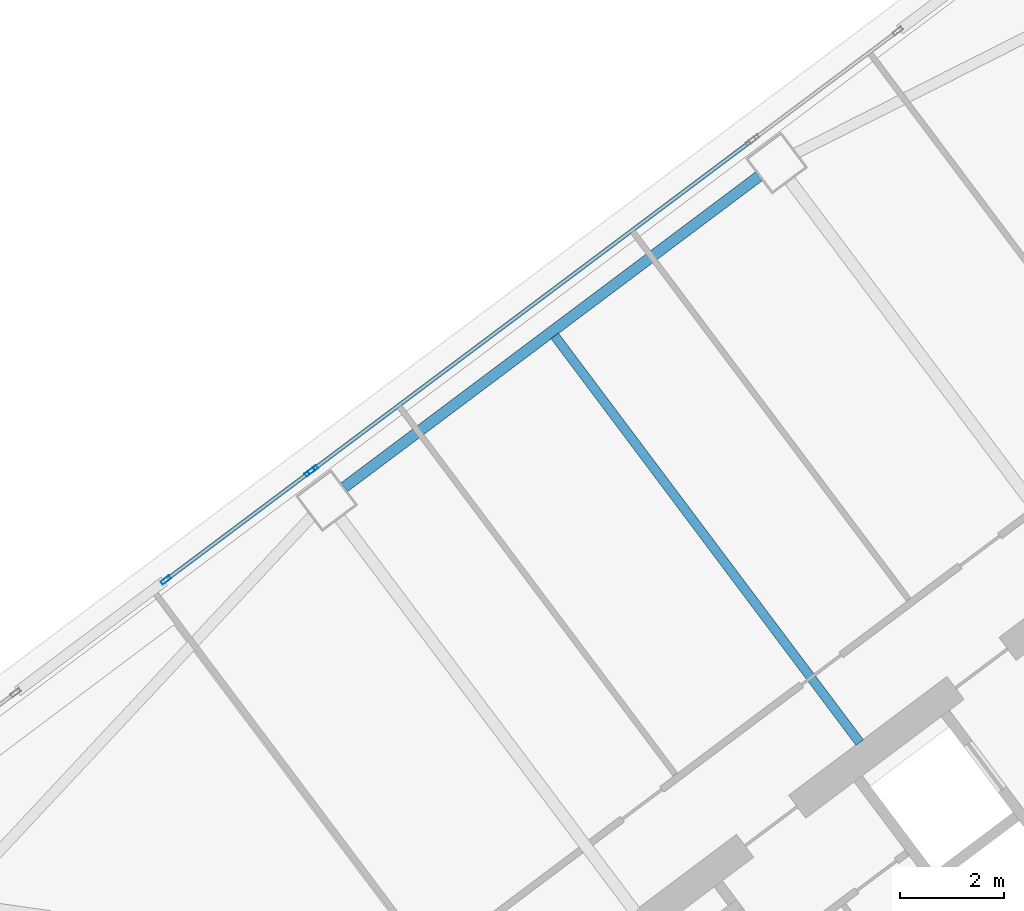
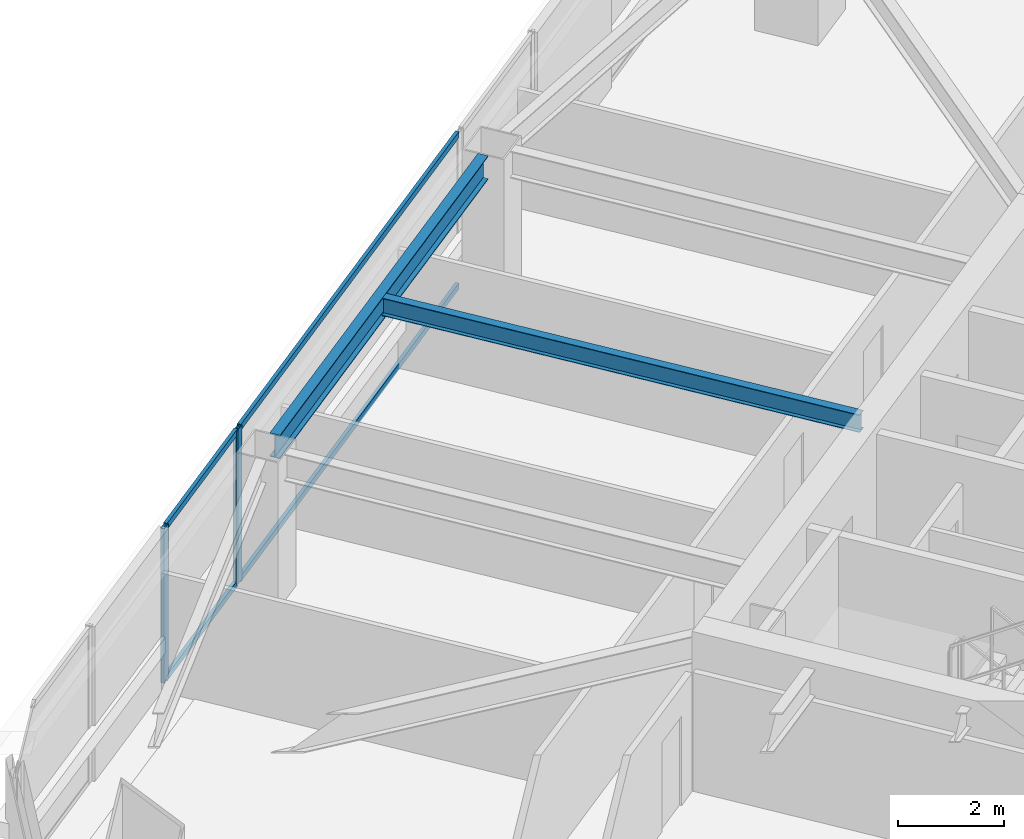
# One storey, part 30 of 46: 7 members, 2 beams, 2 elements without a shape of their own.
"""IFC4 building model written with IfcOpenShell, lengths in metres."""

from ifc_helpers import new_model, si_unit, direction, frame, origin, origin_2d, place, context, subcontext, project, spatial, hollow_rectangle, i_section, extrude, material, material_profile, profile_set, type_object, element, aggregate, save


model = new_model("IFC4")

# Units and contexts
model_context = context("Model", 3, precision=1e-05, world=origin(), true_north=direction((0.0, 1.0)))
body_context = subcontext(model_context, "Body", "Model", "MODEL_VIEW")
ifc_project = project(units=[si_unit("LENGTHUNIT", "METRE"), si_unit("AREAUNIT", "SQUARE_METRE"), si_unit("VOLUMEUNIT", "CUBIC_METRE"), si_unit("PLANEANGLEUNIT", "RADIAN"), si_unit("MASSUNIT", "GRAM", prefix="KILO")], contexts=[model_context])

# Site, building, storey
site_placement = place(None, origin())
site = spatial("IfcSite", under=ifc_project, at=site_placement, CompositionType="ELEMENT")
building_placement = place(site_placement, origin())
building = spatial("IfcBuilding", under=site, at=building_placement, Name="Tashvorn Skyway Center", CompositionType="ELEMENT")
storey_placement = place(building_placement, frame((0.0, 0.0, 139.25)))
storey = spatial("IfcBuildingStorey", under=building, at=storey_placement, Name="L37", CompositionType="ELEMENT", Elevation=139.25)

# Beams
ifc_material_1 = material(Name="Steel ASTM A992 Grade 50", Category="steel")
ifc_material_profile_1 = material_profile(ifc_material_1, i_section(OverallWidth=0.177978515625, OverallDepth=0.406005859375, WebThickness=0.0078125, FlangeThickness=0.0126953125, at=origin_2d()), Name="W16X40")
ifc_profile_set_1 = profile_set([ifc_material_profile_1], Name="Steel ASTM A992 Grade 50")
beam_type_1 = type_object("IfcBeamType", Name="BM-JOIST-W16X40", PredefinedType="JOIST", material=ifc_profile_set_1)
beam_1_placement = place(storey_placement, frame((109.325927734375, 38.23193359375, 3.1669921875), z_axis=(-0.599991997409, 0.800006001881, 0.0), x_axis=(-0.800006001881, -0.599991997409, 0.0)))
element("IfcBeam", 1, at=beam_1_placement, inside=storey, type_object=beam_type_1, Name="Tower 2 L37 Secondary Composite Joist JN", PredefinedType="JOIST", context=body_context, shape_type="SweptSolid", body=[
    extrude(i_section(OverallWidth=0.177978515625, OverallDepth=0.406005859375, WebThickness=0.0078125, FlangeThickness=0.0126953125, at=origin_2d()), origin(), (0.0, 0.0, 1.0), 9.762451171875),
])
ifc_material_profile_2 = material_profile(ifc_material_1, i_section(OverallWidth=0.2109375, OverallDepth=0.5390625, WebThickness=0.01171875, FlangeThickness=0.018798828125, at=origin_2d()), Name="W21X73")
ifc_profile_set_2 = profile_set([ifc_material_profile_2], Name="Steel ASTM A992 Grade 50")
beam_type_2 = type_object("IfcBeamType", Name="BM-SPANDREL-W21X73", PredefinedType="SPANDREL", material=ifc_profile_set_2)
beam_2_placement = place(storey_placement, frame((107.39404296875, 49.10791015625, 3.1005859375), z_axis=(-0.800008824351, -0.599988234018, 0.0), x_axis=(0.599988234018, -0.800008824351, 0.0)))
element("IfcBeam", 2, at=beam_2_placement, inside=storey, type_object=beam_type_2, Name="Tower 2 L37 Spandrel Beam 08", PredefinedType="SPANDREL", context=body_context, shape_type="SweptSolid", body=[
    extrude(i_section(OverallWidth=0.2109375, OverallDepth=0.5390625, WebThickness=0.01171875, FlangeThickness=0.018798828125, at=origin_2d()), origin(), (0.0, 0.0, 1.0), 9.9599609375),
])

# Curtain wall, members
ifc_material_2 = material(Name="Thermally broken bronze-anodized aluminium 6063-T6", Category="aluminium")
curtain_wall_type = type_object("IfcCurtainWallType", Name="CW-CW-Z3", PredefinedType="NOTDEFINED", material=ifc_material_2)
curtain_wall_1_placement = place(storey_placement, origin())
curtain_wall_1 = element("IfcCurtainWall", 3, at=curtain_wall_1_placement, inside=storey, type_object=curtain_wall_type, Name="Tower 2 L37 North Unitised Curtain Wall Glazing Group 2", PredefinedType="NOTDEFINED")
ifc_material_profile_3 = material_profile(ifc_material_2, hollow_rectangle(XDim=0.074951171875, YDim=0.199951171875, WallThickness=0.00439453125, at=origin_2d()), Name="ALU-MULL-75x200")
ifc_profile_set_3 = profile_set([ifc_material_profile_3], Name="Thermally broken bronze-anodized aluminium 6063-T6")
member_type_1 = type_object("IfcMemberType", Name="CWM-CW-Z3", PredefinedType="MULLION", material=ifc_profile_set_3)
member_1_placement = place(storey_placement, frame((96.004150390625, 41.353271484375, 0.0), z_axis=(0.0, 0.0, 1.0), x_axis=(-0.599995465948, 0.800003400519, 0.0)))
member_1 = element("IfcMember", 4, at=member_1_placement, type_object=member_type_1, Name="CW-Z3 mullion 1", PredefinedType="MULLION", context=body_context, shape_type="SweptSolid", body=[
    extrude(hollow_rectangle(XDim=0.074951171875, YDim=0.199951171875, WallThickness=0.00439453125, at=origin_2d()), origin(), (0.0, 0.0, 1.0), 3.550048828125),
])
member_2_placement = place(storey_placement, frame((98.767333984375, 43.425537109375, 0.0), z_axis=(0.0, 0.0, 1.0), x_axis=(-0.599995465948, 0.800003400519, 0.0)))
member_2 = element("IfcMember", 5, at=member_2_placement, type_object=member_type_1, Name="CW-Z3 mullion 2", PredefinedType="MULLION", context=body_context, shape_type="SweptSolid", body=[
    extrude(hollow_rectangle(XDim=0.074951171875, YDim=0.199951171875, WallThickness=0.00439453125, at=origin_2d()), origin(), (0.0, 0.0, 1.0), 3.550048828125),
])

# Curtain wall, member
curtain_wall_2_placement = place(storey_placement, origin())
curtain_wall_2 = element("IfcCurtainWall", 6, at=curtain_wall_2_placement, inside=storey, type_object=curtain_wall_type, Name="Tower 2 L37 North Unitised Curtain Wall Glazing Group 3", PredefinedType="NOTDEFINED")
member_3_placement = place(storey_placement, frame((98.827392578125, 43.470458984375, 0.0), z_axis=(0.0, 0.0, 1.0), x_axis=(-0.599996977339, 0.800002266987, 0.0)))
member_3 = element("IfcMember", 7, at=member_3_placement, type_object=member_type_1, Name="CW-Z3 mullion 1", PredefinedType="MULLION", context=body_context, shape_type="SweptSolid", body=[
    extrude(hollow_rectangle(XDim=0.074951171875, YDim=0.199951171875, WallThickness=0.00439453125, at=origin_2d()), origin(), (0.0, 0.0, 1.0), 3.550048828125),
])

# Member
ifc_material_profile_4 = material_profile(ifc_material_2, hollow_rectangle(XDim=0.074951171875, YDim=0.139892578125, WallThickness=0.004150390625, at=origin_2d()), Name="ALU-TRAN-75x140")
ifc_profile_set_4 = profile_set([ifc_material_profile_4], Name="Thermally broken bronze-anodized aluminium 6063-T6")
member_type_2 = type_object("IfcMemberType", Name="CWT-CW-Z3", PredefinedType="USERDEFINED", material=ifc_profile_set_4)
member_4_placement = place(storey_placement, frame((96.0341796875, 41.375732421875, 0.03759765625), z_axis=(0.8, 0.6, 0.0), x_axis=(-0.6, 0.8, 0.0)))
member_4 = element("IfcMember", 8, at=member_4_placement, type_object=member_type_2, Name="CW-Z3 transom 1.1", ObjectType="TRANSOM", PredefinedType="USERDEFINED", context=body_context, shape_type="SweptSolid", body=[
    extrude(hollow_rectangle(XDim=0.074951171875, YDim=0.139892578125, WallThickness=0.004150390625, at=origin_2d()), origin(), (0.0, 0.0, 1.0), 3.37890625),
])

member_5_placement = place(storey_placement, frame((96.0341796875, 41.375732421875, 3.512451171875), z_axis=(0.8, 0.6, 0.0), x_axis=(-0.6, 0.8, 0.0)))
member_5 = element("IfcMember", 9, at=member_5_placement, type_object=member_type_2, Name="CW-Z3 transom 1.2", ObjectType="TRANSOM", PredefinedType="USERDEFINED", context=body_context, shape_type="SweptSolid", body=[
    extrude(hollow_rectangle(XDim=0.074951171875, YDim=0.139892578125, WallThickness=0.004150390625, at=origin_2d()), origin(), (0.0, 0.0, 1.0), 3.37890625),
])

aggregate(curtain_wall_1, [member_1, member_2, member_4, member_5])

member_6_placement = place(storey_placement, frame((98.857421875, 43.492919921875, 0.03759765625), z_axis=(0.800002807101, 0.599996257181, 0.0), x_axis=(-0.599996257181, 0.800002807101, 0.0)))
member_6 = element("IfcMember", 10, at=member_6_placement, type_object=member_type_2, Name="CW-Z3 transom 1.1", ObjectType="TRANSOM", PredefinedType="USERDEFINED", context=body_context, shape_type="SweptSolid", body=[
    extrude(hollow_rectangle(XDim=0.074951171875, YDim=0.139892578125, WallThickness=0.004150390625, at=origin_2d()), origin(), (0.0, 0.0, 1.0), 10.436767578125),
])

member_7_placement = place(storey_placement, frame((98.857421875, 43.492919921875, 3.512451171875), z_axis=(0.800002807101, 0.599996257181, 0.0), x_axis=(-0.599996257181, 0.800002807101, 0.0)))
member_7 = element("IfcMember", 11, at=member_7_placement, type_object=member_type_2, Name="CW-Z3 transom 1.2", ObjectType="TRANSOM", PredefinedType="USERDEFINED", context=body_context, shape_type="SweptSolid", body=[
    extrude(hollow_rectangle(XDim=0.074951171875, YDim=0.139892578125, WallThickness=0.004150390625, at=origin_2d()), origin(), (0.0, 0.0, 1.0), 10.436767578125),
])

aggregate(curtain_wall_2, [member_3, member_6, member_7])

save(model, "model.ifc")
